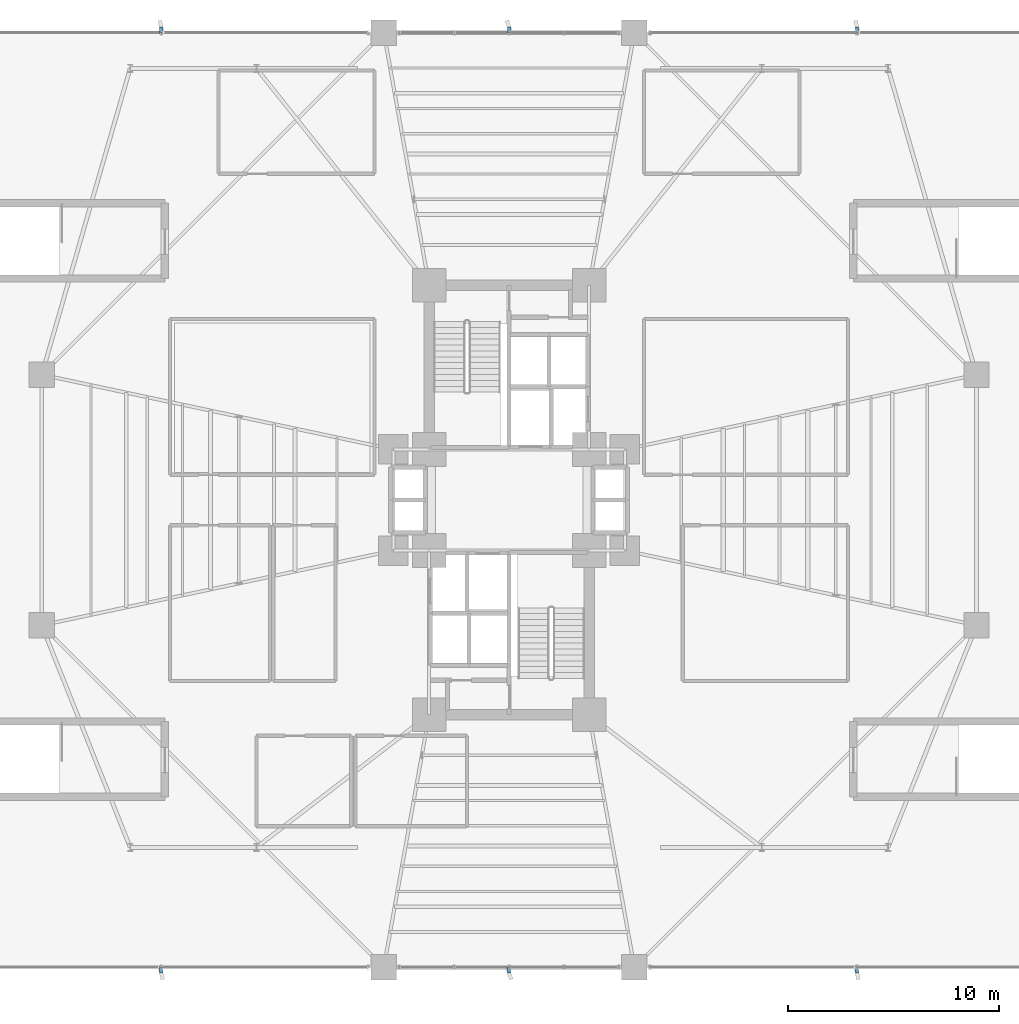
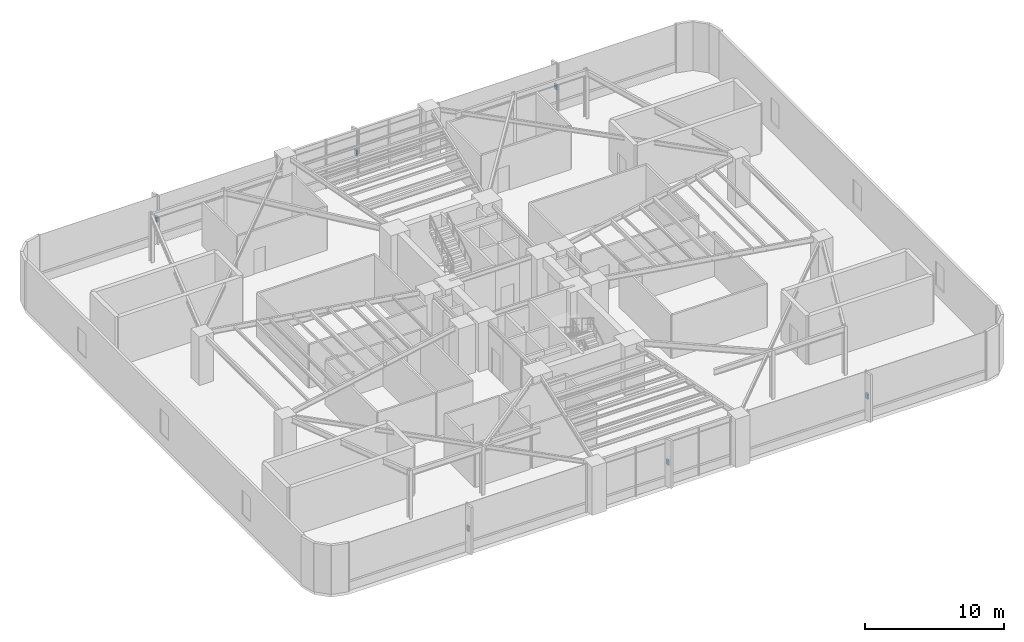
# One storey, part 24 of 26: 6 discrete accessories.
"""IFC4 building model written with IfcOpenShell, lengths in metres."""

from ifc_helpers import new_model, si_unit, direction, frame, origin, origin_2d, place, context, subcontext, project, spatial, rectangle, extrude, source, transform, mapped, material, type_object, element, save


model = new_model("IFC4")

# Units and contexts
model_context = context("Model", 3, precision=1e-05, world=origin(), true_north=direction((0.0, 1.0)))
body_context = subcontext(model_context, "Body", "Model", "MODEL_VIEW")
ifc_project = project(units=[si_unit("LENGTHUNIT", "METRE"), si_unit("AREAUNIT", "SQUARE_METRE"), si_unit("VOLUMEUNIT", "CUBIC_METRE"), si_unit("PLANEANGLEUNIT", "RADIAN"), si_unit("MASSUNIT", "GRAM", prefix="KILO")], contexts=[model_context])

# Site, building, storey
site_placement = place(None, origin())
site = spatial("IfcSite", under=ifc_project, at=site_placement, CompositionType="ELEMENT")
building_placement = place(site_placement, origin())
building = spatial("IfcBuilding", under=site, at=building_placement, Name="Sahyath Konkavel Grand Hotel", CompositionType="ELEMENT")
storey_placement = place(building_placement, frame((0.0, 0.0, 18.60009765625)))
storey = spatial("IfcBuildingStorey", under=building, at=storey_placement, Name="L04", CompositionType="ELEMENT", Elevation=18.60009765625)

# Discrete accessories
ifc_material = material(Name="Steel E350", Category="steel")
discrete_accessory_type = type_object("IfcDiscreteAccessoryType", Name="ACC-FIN-BRACKET", PredefinedType="BRACKET", material=ifc_material)
shared_shape = source(origin(), body_context, "Body", "SweptSolid", [
    extrude(rectangle(XDim=0.280029296875, YDim=0.139892578125, at=origin_2d()), origin(), (0.0, 0.0, 1.0), 0.449951171875),
])
for number, where, z_axis, x_axis, name in (
    (1, (16.52490234375, 22.330078125, 1.90478515625), (0.0, 0.0, 1.0), (0.0, 1.0, 0.0), "L04 Fin Support Bracket N1-1"),
    (2, (0.0, 22.330078125, 1.90478515625), (0.0, 0.0, 1.0), (0.0, 1.0, 0.0), "L04 Fin Support Bracket N2-2"),
    (3, (-16.52490234375, 22.330078125, 1.90478515625), (0.0, 0.0, 1.0), (0.0, 1.0, 0.0), "L04 Fin Support Bracket N3-1"),
    (4, (-16.52490234375, -22.330078125, 1.90478515625), (0.0, 0.0, 1.0), (0.0, -1.0, 0.0), "L04 Fin Support Bracket S1-1"),
    (5, (0.0, -22.330078125, 1.90478515625), (0.0, 0.0, 1.0), (0.0, -1.0, 0.0), "L04 Fin Support Bracket S2-2"),
    (6, (16.52490234375, -22.330078125, 1.90478515625), (0.0, 0.0, 1.0), (0.0, -1.0, 0.0), "L04 Fin Support Bracket S3-1"),
):
    element("IfcDiscreteAccessory", number, at=place(storey_placement, frame(where, z_axis=z_axis, x_axis=x_axis)), inside=storey, type_object=discrete_accessory_type, Name=name, PredefinedType="BRACKET", context=body_context, shape_type="MappedRepresentation", body=[
        mapped(shared_shape, transform((0.0, 0.0, 0.0), scale=1.0)),
    ])

save(model, "model.ifc")
